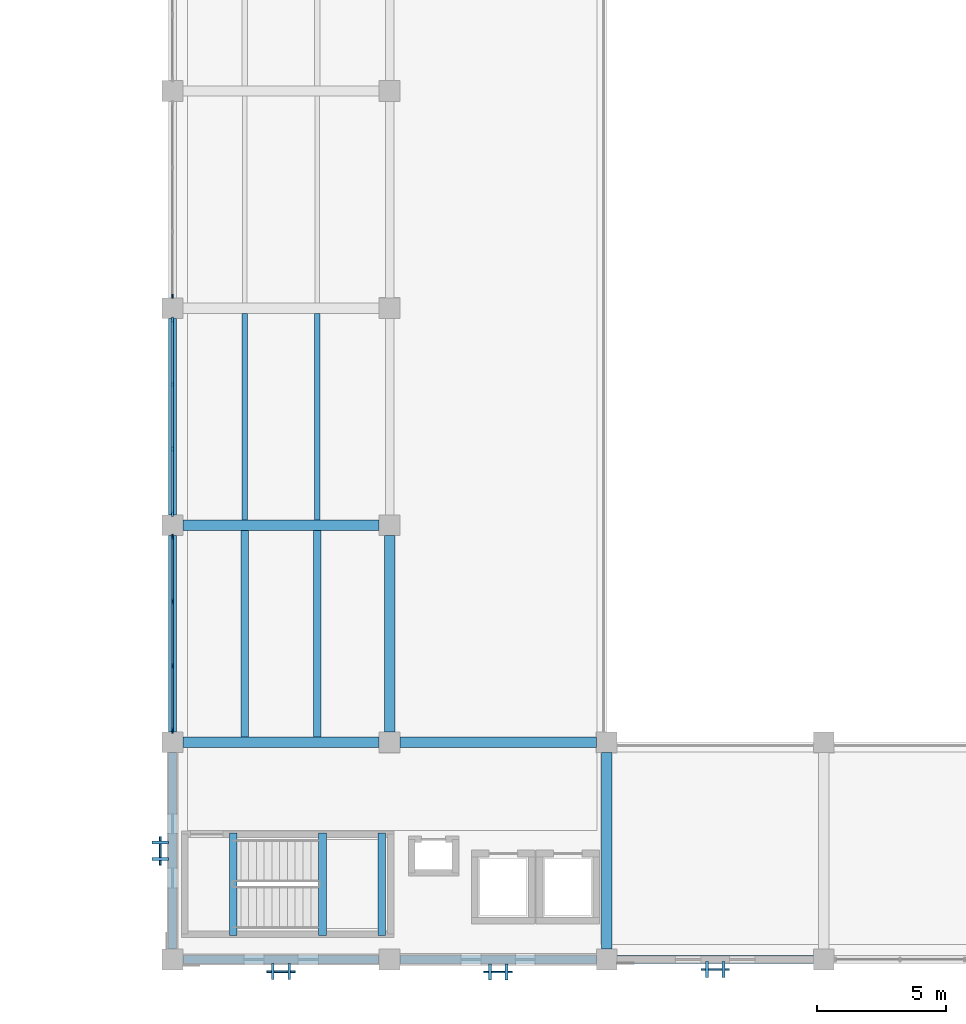
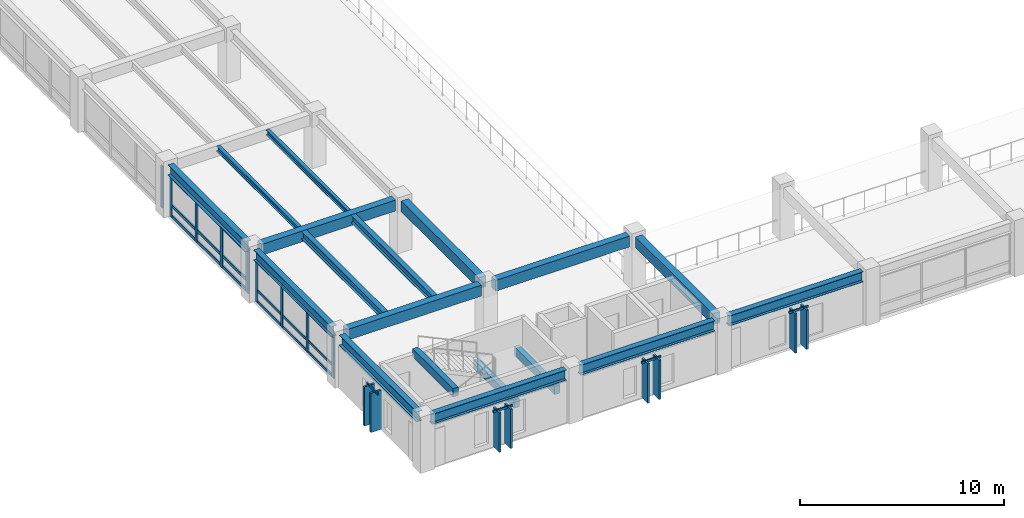
# One storey, part 6 of 111: 39 members, 18 beams, 7 elements without a shape of their own.
"""IFC4 building model written with IfcOpenShell, lengths in metres."""

from ifc_helpers import new_model, si_unit, direction, frame, origin, origin_2d, place, context, subcontext, project, spatial, rectangle, i_section, extrude, material, material_profile, profile_set, type_object, element, aggregate, save


model = new_model("IFC4")

# Units and contexts
model_context = context("Model", 3, precision=1e-05, world=origin(), true_north=direction((0.0, 1.0)))
body_context = subcontext(model_context, "Body", "Model", "MODEL_VIEW")
ifc_project = project(units=[si_unit("LENGTHUNIT", "METRE"), si_unit("AREAUNIT", "SQUARE_METRE"), si_unit("VOLUMEUNIT", "CUBIC_METRE"), si_unit("PLANEANGLEUNIT", "RADIAN"), si_unit("MASSUNIT", "GRAM", prefix="KILO")], contexts=[model_context])

# Site, building, storey
site_placement = place(None, origin())
site = spatial("IfcSite", under=ifc_project, at=site_placement, CompositionType="ELEMENT")
building_placement = place(site_placement, origin())
building = spatial("IfcBuilding", under=site, at=building_placement, Name="Cumbredor Promenade Congress Hotel", CompositionType="ELEMENT")
storey_placement = place(building_placement, frame((0.0, 0.0, 15.1201171875)))
storey = spatial("IfcBuildingStorey", under=building, at=storey_placement, Name="L04", CompositionType="ELEMENT", Elevation=15.1201171875)

# Beams
ifc_material_1 = material(Name="Concrete C40/50", Category="concrete")
ifc_material_profile_1 = material_profile(ifc_material_1, rectangle(XDim=0.39990234375, YDim=0.64990234375, at=origin_2d()), Name="RC BEAM 400x650")
ifc_profile_set_1 = profile_set([ifc_material_profile_1], Name="Concrete C40/50")
beam_type_1 = type_object("IfcBeamType", Name="BM-RC-400x650", PredefinedType="BEAM", material=ifc_profile_set_1)
for number, where, z_axis, x_axis, name in (
    (1, (8.800048828125, 16.800048828125, 2.794921875), (1.0, 0.0, 0.0), (0.0, 1.0, 0.0), "L05 X-Grid Beam 010"),
    (2, (8.800048828125, 25.199951171875, 2.794921875), (1.0, 0.0, 0.0), (0.0, 1.0, 0.0), "L05 X-Grid Beam 012"),
):
    element("IfcBeam", number, at=place(storey_placement, frame(where, z_axis=z_axis, x_axis=x_axis)), inside=storey, type_object=beam_type_1, Name=name, PredefinedType="BEAM", context=body_context, shape_type="SweptSolid", body=[
        extrude(rectangle(XDim=0.39990234375, YDim=0.64990234375, at=origin_2d()), origin(), (0.0, 0.0, 1.0), 7.599853515625),
    ])
for number, where, z_axis, x_axis, name in (
    (3, (17.199951171875, 16.800048828125, 2.794921875), (1.0, 0.0, 0.0), (0.0, 1.0, 0.0), "L05 X-Grid Beam 031"),
    (4, (16.800048828125, 17.199951171875, 2.794921875), (0.0, 1.0, 0.0), (-1.0, 0.0, 0.0), "L05 Y-Grid Beam 032"),
):
    element("IfcBeam", number, at=place(storey_placement, frame(where, z_axis=z_axis, x_axis=x_axis)), inside=storey, type_object=beam_type_1, Name=name, PredefinedType="BEAM", context=body_context, shape_type="SweptSolid", body=[
        extrude(rectangle(XDim=0.39990234375, YDim=0.64990234375, at=origin_2d()), origin(), (0.0, 0.0, 1.0), 7.60009765625),
    ])
beam_1_placement = place(storey_placement, frame((25.199951171875, 8.800048828125, 2.794921875), z_axis=(0.0, 1.0, 0.0), x_axis=(-1.0, 0.0, 0.0)))
element("IfcBeam", 5, at=beam_1_placement, inside=storey, type_object=beam_type_1, Name="L05 Y-Grid Beam 046", PredefinedType="BEAM", context=body_context, shape_type="SweptSolid", body=[
    extrude(rectangle(XDim=0.39990234375, YDim=0.64990234375, at=origin_2d()), origin(), (0.0, 0.0, 1.0), 7.599853515625),
])
ifc_material_2 = material(Name="Steel ASTM A992 Grade 50", Category="steel")
ifc_material_profile_2 = material_profile(ifc_material_2, i_section(OverallWidth=0.323974609375, OverallDepth=0.611083984375, WebThickness=0.0126953125, FlangeThickness=0.01904296875, at=origin_2d()), Name="W24X104")
ifc_profile_set_2 = profile_set([ifc_material_profile_2], Name="Steel ASTM A992 Grade 50")
beam_type_2 = type_object("IfcBeamType", Name="BM-W24X104", PredefinedType="BEAM", material=ifc_profile_set_2)
beam_2_placement = place(storey_placement, frame((8.800048828125, 8.39990234375, 2.814453125), z_axis=(1.0, 0.0, 0.0), x_axis=(0.0, 1.0, 0.0)))
element("IfcBeam", 6, at=beam_2_placement, inside=storey, type_object=beam_type_2, Name="L05 X-Grid Beam 008", PredefinedType="BEAM", context=body_context, shape_type="SweptSolid", body=[
    extrude(i_section(OverallWidth=0.323974609375, OverallDepth=0.611083984375, WebThickness=0.0126953125, FlangeThickness=0.01904296875, at=origin_2d()), origin(), (0.0, 0.0, 1.0), 7.599853515625),
])
beam_3_placement = place(storey_placement, frame((17.199951171875, 8.39990234375, 2.814453125), z_axis=(1.0, 0.0, 0.0), x_axis=(0.0, 1.0, 0.0)))
element("IfcBeam", 7, at=beam_3_placement, inside=storey, type_object=beam_type_2, Name="L05 X-Grid Beam 030", PredefinedType="BEAM", context=body_context, shape_type="SweptSolid", body=[
    extrude(i_section(OverallWidth=0.323974609375, OverallDepth=0.611083984375, WebThickness=0.0126953125, FlangeThickness=0.01904296875, at=origin_2d()), origin(), (0.0, 0.0, 1.0), 7.60009765625),
])
beam_4_placement = place(storey_placement, frame((25.60009765625, 8.39990234375, 2.814453125), z_axis=(1.0, 0.0, 0.0), x_axis=(0.0, 1.0, 0.0)))
element("IfcBeam", 8, at=beam_4_placement, inside=storey, type_object=beam_type_2, Name="L05 X-Grid Beam 045", PredefinedType="BEAM", context=body_context, shape_type="SweptSolid", body=[
    extrude(i_section(OverallWidth=0.323974609375, OverallDepth=0.611083984375, WebThickness=0.0126953125, FlangeThickness=0.01904296875, at=origin_2d()), origin(), (0.0, 0.0, 1.0), 7.599853515625),
])

# Curtain wall, member
ifc_material_3 = material(Name="Thermally broken anodized aluminium and low-E glass", Category="aluminium")
curtain_wall_type_1 = type_object("IfcCurtainWallType", Name="Unitised Bronze Curtain Wall CW-01", PredefinedType="NOTDEFINED", material=ifc_material_3)
curtain_wall_1_placement = place(storey_placement, origin())
curtain_wall_1 = element("IfcCurtainWall", 9, at=curtain_wall_1_placement, inside=storey, type_object=curtain_wall_type_1, Name="L04 Plenary Congress Hall West Curtain Wall 4", PredefinedType="NOTDEFINED")
ifc_material_4 = material(Name="Thermally broken anodized aluminium", Category="aluminium")
ifc_material_profile_3 = material_profile(ifc_material_4, rectangle(XDim=0.06494140625, YDim=0.159912109375, at=origin_2d()), Name="ALU MULLION 65x160")
ifc_profile_set_3 = profile_set([ifc_material_profile_3], Name="Thermally broken anodized aluminium")
member_type_1 = type_object("IfcMemberType", Name="Curtain Wall Mullion ML-01", PredefinedType="MULLION", material=ifc_profile_set_3)
member_1_placement = place(storey_placement, frame((8.39990234375, 34.054931640625, -0.008056640625), z_axis=(0.0, 0.0, 1.0), x_axis=(1.0, 0.0, 0.0)))
member_1 = element("IfcMember", 10, at=member_1_placement, type_object=member_type_1, Name="L04 Plenary Congress Hall West Curtain Wall 4 Mullion 1", PredefinedType="MULLION", context=body_context, shape_type="SweptSolid", body=[
    extrude(rectangle(XDim=0.06494140625, YDim=0.159912109375, at=origin_2d()), origin(), (0.0, 0.0, 1.0), 2.510009765625),
])
aggregate(curtain_wall_1, [member_1])

# Curtain wall, members
curtain_wall_2_placement = place(storey_placement, origin())
curtain_wall_2 = element("IfcCurtainWall", 11, at=curtain_wall_2_placement, inside=storey, type_object=curtain_wall_type_1, Name="L04 Plenary Congress Hall West Curtain Wall 2", PredefinedType="NOTDEFINED")
ifc_material_profile_4 = material_profile(ifc_material_4, rectangle(XDim=0.074951171875, YDim=0.199951171875, at=origin_2d()), Name="ALU MULLION 75x200")
ifc_profile_set_4 = profile_set([ifc_material_profile_4], Name="Thermally broken anodized aluminium")
member_type_2 = type_object("IfcMemberType", Name="Curtain Wall Mullion ML-02", PredefinedType="MULLION", material=ifc_profile_set_4)
member_2_placement = place(storey_placement, frame((8.39990234375, 17.2548828125, -0.008056640625), z_axis=(0.0, 0.0, 1.0), x_axis=(1.0, 0.0, 0.0)))
member_2 = element("IfcMember", 12, at=member_2_placement, type_object=member_type_2, Name="L04 Plenary Congress Hall West Curtain Wall 2 Mullion 1", PredefinedType="MULLION", context=body_context, shape_type="SweptSolid", body=[
    extrude(rectangle(XDim=0.074951171875, YDim=0.199951171875, at=origin_2d()), origin(), (0.0, 0.0, 1.0), 2.510009765625),
])
member_3_placement = place(storey_placement, frame((8.39990234375, 19.751708984375, -0.008056640625), z_axis=(0.0, 0.0, 1.0), x_axis=(1.0, 0.0, 0.0)))
member_3 = element("IfcMember", 13, at=member_3_placement, type_object=member_type_2, Name="L04 Plenary Congress Hall West Curtain Wall 2 Mullion 2", PredefinedType="MULLION", context=body_context, shape_type="SweptSolid", body=[
    extrude(rectangle(XDim=0.074951171875, YDim=0.199951171875, at=origin_2d()), origin(), (0.0, 0.0, 1.0), 2.510009765625),
])
member_4_placement = place(storey_placement, frame((8.39990234375, 22.248291015625, -0.008056640625), z_axis=(0.0, 0.0, 1.0), x_axis=(1.0, 0.0, 0.0)))
member_4 = element("IfcMember", 14, at=member_4_placement, type_object=member_type_2, Name="L04 Plenary Congress Hall West Curtain Wall 2 Mullion 3", PredefinedType="MULLION", context=body_context, shape_type="SweptSolid", body=[
    extrude(rectangle(XDim=0.074951171875, YDim=0.199951171875, at=origin_2d()), origin(), (0.0, 0.0, 1.0), 2.510009765625),
])
member_5_placement = place(storey_placement, frame((8.39990234375, 24.7451171875, -0.008056640625), z_axis=(0.0, 0.0, 1.0), x_axis=(1.0, 0.0, 0.0)))
member_5 = element("IfcMember", 15, at=member_5_placement, type_object=member_type_2, Name="L04 Plenary Congress Hall West Curtain Wall 2 Mullion 4", PredefinedType="MULLION", context=body_context, shape_type="SweptSolid", body=[
    extrude(rectangle(XDim=0.074951171875, YDim=0.199951171875, at=origin_2d()), origin(), (0.0, 0.0, 1.0), 2.510009765625),
])

curtain_wall_3_placement = place(storey_placement, origin())
curtain_wall_3 = element("IfcCurtainWall", 16, at=curtain_wall_3_placement, inside=storey, type_object=curtain_wall_type_1, Name="L04 Plenary Congress Hall West Curtain Wall 3", PredefinedType="NOTDEFINED")
ifc_material_profile_5 = material_profile(ifc_material_4, rectangle(XDim=0.080078125, YDim=0.239990234375, at=origin_2d()), Name="ALU MULLION 80x240")
ifc_profile_set_5 = profile_set([ifc_material_profile_5], Name="Thermally broken anodized aluminium")
member_type_3 = type_object("IfcMemberType", Name="Curtain Wall Mullion ML-03", PredefinedType="MULLION", material=ifc_profile_set_5)
member_6_placement = place(storey_placement, frame((8.39990234375, 25.655029296875, -0.008056640625), z_axis=(0.0, 0.0, 1.0), x_axis=(1.0, 0.0, 0.0)))
member_6 = element("IfcMember", 17, at=member_6_placement, type_object=member_type_3, Name="L04 Plenary Congress Hall West Curtain Wall 3 Mullion 1", PredefinedType="MULLION", context=body_context, shape_type="SweptSolid", body=[
    extrude(rectangle(XDim=0.080078125, YDim=0.239990234375, at=origin_2d()), origin(), (0.0, 0.0, 1.0), 2.510009765625),
])
member_7_placement = place(storey_placement, frame((8.39990234375, 28.151611328125, -0.008056640625), z_axis=(0.0, 0.0, 1.0), x_axis=(1.0, 0.0, 0.0)))
member_7 = element("IfcMember", 18, at=member_7_placement, type_object=member_type_3, Name="L04 Plenary Congress Hall West Curtain Wall 3 Mullion 2", PredefinedType="MULLION", context=body_context, shape_type="SweptSolid", body=[
    extrude(rectangle(XDim=0.080078125, YDim=0.239990234375, at=origin_2d()), origin(), (0.0, 0.0, 1.0), 2.510009765625),
])
member_8_placement = place(storey_placement, frame((8.39990234375, 30.648193359375, -0.008056640625), z_axis=(0.0, 0.0, 1.0), x_axis=(1.0, 0.0, 0.0)))
member_8 = element("IfcMember", 19, at=member_8_placement, type_object=member_type_3, Name="L04 Plenary Congress Hall West Curtain Wall 3 Mullion 3", PredefinedType="MULLION", context=body_context, shape_type="SweptSolid", body=[
    extrude(rectangle(XDim=0.080078125, YDim=0.239990234375, at=origin_2d()), origin(), (0.0, 0.0, 1.0), 2.510009765625),
])
member_9_placement = place(storey_placement, frame((8.39990234375, 33.14501953125, -0.008056640625), z_axis=(0.0, 0.0, 1.0), x_axis=(1.0, 0.0, 0.0)))
member_9 = element("IfcMember", 20, at=member_9_placement, type_object=member_type_3, Name="L04 Plenary Congress Hall West Curtain Wall 3 Mullion 4", PredefinedType="MULLION", context=body_context, shape_type="SweptSolid", body=[
    extrude(rectangle(XDim=0.080078125, YDim=0.239990234375, at=origin_2d()), origin(), (0.0, 0.0, 1.0), 2.510009765625),
])

# Curtain wall, member
curtain_wall_type_2 = type_object("IfcCurtainWallType", Name="Solar Brise-Soleil Screen Assembly CW-07", PredefinedType="NOTDEFINED", material=ifc_material_3)
curtain_wall_4_placement = place(storey_placement, origin())
curtain_wall_4 = element("IfcCurtainWall", 21, at=curtain_wall_4_placement, inside=storey, type_object=curtain_wall_type_2, Name="L04 Pier Brise-Soleil Screen 0694", PredefinedType="NOTDEFINED")
ifc_material_profile_6 = material_profile(ifc_material_4, rectangle(XDim=0.06494140625, YDim=0.1298828125, at=origin_2d()), Name="ALU TRANSOM 65x130")
ifc_profile_set_6 = profile_set([ifc_material_profile_6], Name="Thermally broken anodized aluminium")
member_type_4 = type_object("IfcMemberType", Name="Curtain Wall Transom TR-01", PredefinedType="USERDEFINED", material=ifc_profile_set_6)
member_10_placement = place(storey_placement, frame((12.050048828125, 7.927490234375, 2.333984375), z_axis=(1.0, 0.0, 0.0), x_axis=(0.0, 1.0, 0.0)))
member_10 = element("IfcMember", 22, at=member_10_placement, type_object=member_type_4, Name="L04 Pier Brise-Soleil Header 0696", ObjectType="TRANSOM", PredefinedType="USERDEFINED", context=body_context, shape_type="SweptSolid", body=[
    extrude(rectangle(XDim=0.06494140625, YDim=0.1298828125, at=origin_2d()), origin(), (0.0, 0.0, 1.0), 1.099853515625),
])

curtain_wall_5_placement = place(storey_placement, origin())
curtain_wall_5 = element("IfcCurtainWall", 23, at=curtain_wall_5_placement, inside=storey, type_object=curtain_wall_type_2, Name="L04 Pier Brise-Soleil Screen 0697", PredefinedType="NOTDEFINED")
member_11_placement = place(storey_placement, frame((20.449951171875, 7.9150390625, 2.333984375), z_axis=(1.0, 0.0, 0.0), x_axis=(0.0, 1.0, 0.0)))
member_11 = element("IfcMember", 24, at=member_11_placement, type_object=member_type_4, Name="L04 Pier Brise-Soleil Header 0699", ObjectType="TRANSOM", PredefinedType="USERDEFINED", context=body_context, shape_type="SweptSolid", body=[
    extrude(rectangle(XDim=0.06494140625, YDim=0.1298828125, at=origin_2d()), origin(), (0.0, 0.0, 1.0), 1.10009765625),
])

curtain_wall_6_placement = place(storey_placement, origin())
curtain_wall_6 = element("IfcCurtainWall", 25, at=curtain_wall_6_placement, inside=storey, type_object=curtain_wall_type_2, Name="L04 Pier Brise-Soleil Screen 0700", PredefinedType="NOTDEFINED")
member_12_placement = place(storey_placement, frame((28.85009765625, 8.010009765625, 2.333984375), z_axis=(1.0, 0.0, 0.0), x_axis=(0.0, 1.0, 0.0)))
member_12 = element("IfcMember", 26, at=member_12_placement, type_object=member_type_4, Name="L04 Pier Brise-Soleil Header 0702", ObjectType="TRANSOM", PredefinedType="USERDEFINED", context=body_context, shape_type="SweptSolid", body=[
    extrude(rectangle(XDim=0.06494140625, YDim=0.1298828125, at=origin_2d()), origin(), (0.0, 0.0, 1.0), 1.099853515625),
])

curtain_wall_7_placement = place(storey_placement, origin())
curtain_wall_7 = element("IfcCurtainWall", 27, at=curtain_wall_7_placement, inside=storey, type_object=curtain_wall_type_2, Name="L04 Pier Brise-Soleil Screen 0724", PredefinedType="NOTDEFINED")
member_13_placement = place(storey_placement, frame((7.927490234375, 12.050048828125, 2.333984375), z_axis=(0.0, 1.0, 0.0), x_axis=(-1.0, 0.0, 0.0)))
member_13 = element("IfcMember", 28, at=member_13_placement, type_object=member_type_4, Name="L04 Pier Brise-Soleil Header 0726", ObjectType="TRANSOM", PredefinedType="USERDEFINED", context=body_context, shape_type="SweptSolid", body=[
    extrude(rectangle(XDim=0.06494140625, YDim=0.1298828125, at=origin_2d()), origin(), (0.0, 0.0, 1.0), 1.099853515625),
])

# Member
ifc_material_profile_7 = material_profile(ifc_material_4, rectangle(XDim=0.074951171875, YDim=0.14990234375, at=origin_2d()), Name="ALU TRANSOM 75x150")
ifc_profile_set_7 = profile_set([ifc_material_profile_7], Name="Thermally broken anodized aluminium")
member_type_5 = type_object("IfcMemberType", Name="Curtain Wall Transom TR-02", PredefinedType="USERDEFINED", material=ifc_profile_set_7)
member_14_placement = place(storey_placement, frame((8.39990234375, 17.29248046875, 0.06982421875), z_axis=(0.0, 1.0, 0.0), x_axis=(-1.0, 0.0, 0.0)))
member_14 = element("IfcMember", 29, at=member_14_placement, type_object=member_type_5, Name="L04 Plenary Congress Hall West Curtain Wall 2 Transom 1.1", ObjectType="TRANSOM", PredefinedType="USERDEFINED", context=body_context, shape_type="SweptSolid", body=[
    extrude(rectangle(XDim=0.074951171875, YDim=0.14990234375, at=origin_2d()), origin(), (0.0, 0.0, 1.0), 2.421630859375),
])

member_15_placement = place(storey_placement, frame((8.39990234375, 17.29248046875, 0.719970703125), z_axis=(0.0, 1.0, 0.0), x_axis=(-1.0, 0.0, 0.0)))
member_15 = element("IfcMember", 30, at=member_15_placement, type_object=member_type_5, Name="L04 Plenary Congress Hall West Curtain Wall 2 Transom 1.2", ObjectType="TRANSOM", PredefinedType="USERDEFINED", context=body_context, shape_type="SweptSolid", body=[
    extrude(rectangle(XDim=0.074951171875, YDim=0.14990234375, at=origin_2d()), origin(), (0.0, 0.0, 1.0), 2.421630859375),
])

member_16_placement = place(storey_placement, frame((8.39990234375, 17.29248046875, 2.419921875), z_axis=(0.0, 1.0, 0.0), x_axis=(-1.0, 0.0, 0.0)))
member_16 = element("IfcMember", 31, at=member_16_placement, type_object=member_type_5, Name="L04 Plenary Congress Hall West Curtain Wall 2 Transom 1.3", ObjectType="TRANSOM", PredefinedType="USERDEFINED", context=body_context, shape_type="SweptSolid", body=[
    extrude(rectangle(XDim=0.074951171875, YDim=0.14990234375, at=origin_2d()), origin(), (0.0, 0.0, 1.0), 2.421630859375),
])

member_17_placement = place(storey_placement, frame((8.39990234375, 19.789306640625, 0.06982421875), z_axis=(0.0, 1.0, 0.0), x_axis=(-1.0, 0.0, 0.0)))
member_17 = element("IfcMember", 32, at=member_17_placement, type_object=member_type_5, Name="L04 Plenary Congress Hall West Curtain Wall 2 Transom 2.1", ObjectType="TRANSOM", PredefinedType="USERDEFINED", context=body_context, shape_type="SweptSolid", body=[
    extrude(rectangle(XDim=0.074951171875, YDim=0.14990234375, at=origin_2d()), origin(), (0.0, 0.0, 1.0), 2.42138671875),
])

member_18_placement = place(storey_placement, frame((8.39990234375, 19.789306640625, 0.719970703125), z_axis=(0.0, 1.0, 0.0), x_axis=(-1.0, 0.0, 0.0)))
member_18 = element("IfcMember", 33, at=member_18_placement, type_object=member_type_5, Name="L04 Plenary Congress Hall West Curtain Wall 2 Transom 2.2", ObjectType="TRANSOM", PredefinedType="USERDEFINED", context=body_context, shape_type="SweptSolid", body=[
    extrude(rectangle(XDim=0.074951171875, YDim=0.14990234375, at=origin_2d()), origin(), (0.0, 0.0, 1.0), 2.42138671875),
])

member_19_placement = place(storey_placement, frame((8.39990234375, 19.789306640625, 2.419921875), z_axis=(0.0, 1.0, 0.0), x_axis=(-1.0, 0.0, 0.0)))
member_19 = element("IfcMember", 34, at=member_19_placement, type_object=member_type_5, Name="L04 Plenary Congress Hall West Curtain Wall 2 Transom 2.3", ObjectType="TRANSOM", PredefinedType="USERDEFINED", context=body_context, shape_type="SweptSolid", body=[
    extrude(rectangle(XDim=0.074951171875, YDim=0.14990234375, at=origin_2d()), origin(), (0.0, 0.0, 1.0), 2.42138671875),
])

member_20_placement = place(storey_placement, frame((8.39990234375, 22.285888671875, 0.06982421875), z_axis=(0.0, 1.0, 0.0), x_axis=(-1.0, 0.0, 0.0)))
member_20 = element("IfcMember", 35, at=member_20_placement, type_object=member_type_5, Name="L04 Plenary Congress Hall West Curtain Wall 2 Transom 3.1", ObjectType="TRANSOM", PredefinedType="USERDEFINED", context=body_context, shape_type="SweptSolid", body=[
    extrude(rectangle(XDim=0.074951171875, YDim=0.14990234375, at=origin_2d()), origin(), (0.0, 0.0, 1.0), 2.421630859375),
])

member_21_placement = place(storey_placement, frame((8.39990234375, 22.285888671875, 0.719970703125), z_axis=(0.0, 1.0, 0.0), x_axis=(-1.0, 0.0, 0.0)))
member_21 = element("IfcMember", 36, at=member_21_placement, type_object=member_type_5, Name="L04 Plenary Congress Hall West Curtain Wall 2 Transom 3.2", ObjectType="TRANSOM", PredefinedType="USERDEFINED", context=body_context, shape_type="SweptSolid", body=[
    extrude(rectangle(XDim=0.074951171875, YDim=0.14990234375, at=origin_2d()), origin(), (0.0, 0.0, 1.0), 2.421630859375),
])

member_22_placement = place(storey_placement, frame((8.39990234375, 22.285888671875, 2.419921875), z_axis=(0.0, 1.0, 0.0), x_axis=(-1.0, 0.0, 0.0)))
member_22 = element("IfcMember", 37, at=member_22_placement, type_object=member_type_5, Name="L04 Plenary Congress Hall West Curtain Wall 2 Transom 3.3", ObjectType="TRANSOM", PredefinedType="USERDEFINED", context=body_context, shape_type="SweptSolid", body=[
    extrude(rectangle(XDim=0.074951171875, YDim=0.14990234375, at=origin_2d()), origin(), (0.0, 0.0, 1.0), 2.421630859375),
])

aggregate(curtain_wall_2, [member_2, member_3, member_4, member_5, member_14, member_15, member_16, member_17, member_18, member_19, member_20, member_21, member_22])

ifc_material_profile_8 = material_profile(ifc_material_4, rectangle(XDim=0.080078125, YDim=0.179931640625, at=origin_2d()), Name="ALU TRANSOM 80x180")
ifc_profile_set_8 = profile_set([ifc_material_profile_8], Name="Thermally broken anodized aluminium")
member_type_6 = type_object("IfcMemberType", Name="Curtain Wall Transom TR-03", PredefinedType="USERDEFINED", material=ifc_profile_set_8)
member_23_placement = place(storey_placement, frame((8.39990234375, 25.695068359375, 0.08984375), z_axis=(0.0, 1.0, 0.0), x_axis=(-1.0, 0.0, 0.0)))
member_23 = element("IfcMember", 38, at=member_23_placement, type_object=member_type_6, Name="L04 Plenary Congress Hall West Curtain Wall 3 Transom 1.1", ObjectType="TRANSOM", PredefinedType="USERDEFINED", context=body_context, shape_type="SweptSolid", body=[
    extrude(rectangle(XDim=0.080078125, YDim=0.179931640625, at=origin_2d()), origin(), (0.0, 0.0, 1.0), 2.416748046875),
])

member_24_placement = place(storey_placement, frame((8.39990234375, 25.695068359375, 0.719970703125), z_axis=(0.0, 1.0, 0.0), x_axis=(-1.0, 0.0, 0.0)))
member_24 = element("IfcMember", 39, at=member_24_placement, type_object=member_type_6, Name="L04 Plenary Congress Hall West Curtain Wall 3 Transom 1.2", ObjectType="TRANSOM", PredefinedType="USERDEFINED", context=body_context, shape_type="SweptSolid", body=[
    extrude(rectangle(XDim=0.080078125, YDim=0.179931640625, at=origin_2d()), origin(), (0.0, 0.0, 1.0), 2.416748046875),
])

member_25_placement = place(storey_placement, frame((8.39990234375, 25.695068359375, 2.39990234375), z_axis=(0.0, 1.0, 0.0), x_axis=(-1.0, 0.0, 0.0)))
member_25 = element("IfcMember", 40, at=member_25_placement, type_object=member_type_6, Name="L04 Plenary Congress Hall West Curtain Wall 3 Transom 1.3", ObjectType="TRANSOM", PredefinedType="USERDEFINED", context=body_context, shape_type="SweptSolid", body=[
    extrude(rectangle(XDim=0.080078125, YDim=0.179931640625, at=origin_2d()), origin(), (0.0, 0.0, 1.0), 2.416748046875),
])

member_26_placement = place(storey_placement, frame((8.39990234375, 28.191650390625, 0.08984375), z_axis=(0.0, 1.0, 0.0), x_axis=(-1.0, 0.0, 0.0)))
member_26 = element("IfcMember", 41, at=member_26_placement, type_object=member_type_6, Name="L04 Plenary Congress Hall West Curtain Wall 3 Transom 2.1", ObjectType="TRANSOM", PredefinedType="USERDEFINED", context=body_context, shape_type="SweptSolid", body=[
    extrude(rectangle(XDim=0.080078125, YDim=0.179931640625, at=origin_2d()), origin(), (0.0, 0.0, 1.0), 2.416748046875),
])

member_27_placement = place(storey_placement, frame((8.39990234375, 28.191650390625, 0.719970703125), z_axis=(0.0, 1.0, 0.0), x_axis=(-1.0, 0.0, 0.0)))
member_27 = element("IfcMember", 42, at=member_27_placement, type_object=member_type_6, Name="L04 Plenary Congress Hall West Curtain Wall 3 Transom 2.2", ObjectType="TRANSOM", PredefinedType="USERDEFINED", context=body_context, shape_type="SweptSolid", body=[
    extrude(rectangle(XDim=0.080078125, YDim=0.179931640625, at=origin_2d()), origin(), (0.0, 0.0, 1.0), 2.416748046875),
])

member_28_placement = place(storey_placement, frame((8.39990234375, 28.191650390625, 2.39990234375), z_axis=(0.0, 1.0, 0.0), x_axis=(-1.0, 0.0, 0.0)))
member_28 = element("IfcMember", 43, at=member_28_placement, type_object=member_type_6, Name="L04 Plenary Congress Hall West Curtain Wall 3 Transom 2.3", ObjectType="TRANSOM", PredefinedType="USERDEFINED", context=body_context, shape_type="SweptSolid", body=[
    extrude(rectangle(XDim=0.080078125, YDim=0.179931640625, at=origin_2d()), origin(), (0.0, 0.0, 1.0), 2.416748046875),
])

member_29_placement = place(storey_placement, frame((8.39990234375, 30.688232421875, 0.08984375), z_axis=(0.0, 1.0, 0.0), x_axis=(-1.0, 0.0, 0.0)))
member_29 = element("IfcMember", 44, at=member_29_placement, type_object=member_type_6, Name="L04 Plenary Congress Hall West Curtain Wall 3 Transom 3.1", ObjectType="TRANSOM", PredefinedType="USERDEFINED", context=body_context, shape_type="SweptSolid", body=[
    extrude(rectangle(XDim=0.080078125, YDim=0.179931640625, at=origin_2d()), origin(), (0.0, 0.0, 1.0), 2.416748046875),
])

member_30_placement = place(storey_placement, frame((8.39990234375, 30.688232421875, 0.719970703125), z_axis=(0.0, 1.0, 0.0), x_axis=(-1.0, 0.0, 0.0)))
member_30 = element("IfcMember", 45, at=member_30_placement, type_object=member_type_6, Name="L04 Plenary Congress Hall West Curtain Wall 3 Transom 3.2", ObjectType="TRANSOM", PredefinedType="USERDEFINED", context=body_context, shape_type="SweptSolid", body=[
    extrude(rectangle(XDim=0.080078125, YDim=0.179931640625, at=origin_2d()), origin(), (0.0, 0.0, 1.0), 2.416748046875),
])

member_31_placement = place(storey_placement, frame((8.39990234375, 30.688232421875, 2.39990234375), z_axis=(0.0, 1.0, 0.0), x_axis=(-1.0, 0.0, 0.0)))
member_31 = element("IfcMember", 46, at=member_31_placement, type_object=member_type_6, Name="L04 Plenary Congress Hall West Curtain Wall 3 Transom 3.3", ObjectType="TRANSOM", PredefinedType="USERDEFINED", context=body_context, shape_type="SweptSolid", body=[
    extrude(rectangle(XDim=0.080078125, YDim=0.179931640625, at=origin_2d()), origin(), (0.0, 0.0, 1.0), 2.416748046875),
])

aggregate(curtain_wall_3, [member_6, member_7, member_8, member_9, member_23, member_24, member_25, member_26, member_27, member_28, member_29, member_30, member_31])

# Beams
ifc_material_profile_9 = material_profile(ifc_material_2, i_section(OverallWidth=0.202880859375, OverallDepth=0.302978515625, WebThickness=0.007568359375, FlangeThickness=0.01318359375, at=origin_2d()), Name="W12X40")
ifc_profile_set_9 = profile_set([ifc_material_profile_9], Name="Steel ASTM A992 Grade 50")
beam_type_3 = type_object("IfcBeamType", Name="JST-W12X40", PredefinedType="JOIST", material=ifc_profile_set_9)
for number, where, z_axis, x_axis, name in (
    (47, (11.199951171875, 25.39990234375, 2.96826171875), (0.0, 1.0, 0.0), (-1.0, 0.0, 0.0), "L05 Secondary Floor Joist 0009"),
    (48, (14.0, 25.39990234375, 2.96826171875), (0.0, 1.0, 0.0), (-1.0, 0.0, 0.0), "L05 Secondary Floor Joist 0010"),
):
    element("IfcBeam", number, at=place(storey_placement, frame(where, z_axis=z_axis, x_axis=x_axis)), inside=storey, type_object=beam_type_3, Name=name, PredefinedType="JOIST", context=body_context, shape_type="SweptSolid", body=[
        extrude(i_section(OverallWidth=0.202880859375, OverallDepth=0.302978515625, WebThickness=0.007568359375, FlangeThickness=0.01318359375, at=origin_2d()), origin(), (0.0, 0.0, 1.0), 8.0),
    ])
ifc_material_profile_10 = material_profile(ifc_material_2, i_section(OverallWidth=0.280029296875, OverallDepth=0.462890625, WebThickness=0.0107421875, FlangeThickness=0.017333984375, at=origin_2d()), Name="W18X76")
ifc_profile_set_10 = profile_set([ifc_material_profile_10], Name="Steel ASTM A992 Grade 50")
beam_type_4 = type_object("IfcBeamType", Name="JST-W18X76", PredefinedType="JOIST", material=ifc_profile_set_10)
for number, where, z_axis, x_axis, name in (
    (49, (11.199951171875, 17.0, 2.888427734375), (0.0, 1.0, 0.0), (-1.0, 0.0, 0.0), "L05 Secondary Floor Joist 0007"),
    (50, (14.0, 17.0, 2.888427734375), (0.0, 1.0, 0.0), (-1.0, 0.0, 0.0), "L05 Secondary Floor Joist 0008"),
):
    element("IfcBeam", number, at=place(storey_placement, frame(where, z_axis=z_axis, x_axis=x_axis)), inside=storey, type_object=beam_type_4, Name=name, PredefinedType="JOIST", context=body_context, shape_type="SweptSolid", body=[
        extrude(i_section(OverallWidth=0.280029296875, OverallDepth=0.462890625, WebThickness=0.0107421875, FlangeThickness=0.017333984375, at=origin_2d()), origin(), (0.0, 0.0, 1.0), 8.0),
    ])
ifc_material_profile_11 = material_profile(ifc_material_1, rectangle(XDim=0.300048828125, YDim=0.5, at=origin_2d()), Name="RC LINTEL 300x500")
ifc_profile_set_11 = profile_set([ifc_material_profile_11], Name="Concrete C40/50")
beam_type_5 = type_object("IfcBeamType", Name="LN-RC-300x500", PredefinedType="LINTEL", material=ifc_profile_set_11)
for number, where, z_axis, x_axis, name in (
    (51, (16.5, 9.330078125, 1.22998046875), (0.0, 1.0, 0.0), (-1.0, 0.0, 0.0), "L04 Stair ST-04 Landing Ledger Beam E"),
    (52, (14.199951171875, 9.330078125, 1.22998046875), (0.0, 1.0, 0.0), (-1.0, 0.0, 0.0), "L04 Stair ST-04 Landing Ledger Beam W"),
    (53, (10.75, 9.330078125, 3.10986328125), (0.0, 1.0, 0.0), (-1.0, 0.0, 0.0), "L05 Stair ST-04 Well Header Trimmer Beam"),
):
    element("IfcBeam", number, at=place(storey_placement, frame(where, z_axis=z_axis, x_axis=x_axis)), inside=storey, type_object=beam_type_5, Name=name, PredefinedType="LINTEL", context=body_context, shape_type="SweptSolid", body=[
        extrude(rectangle(XDim=0.300048828125, YDim=0.5, at=origin_2d()), origin(), (0.0, 0.0, 1.0), 3.969970703125),
    ])
ifc_material_profile_12 = material_profile(ifc_material_2, i_section(OverallWidth=0.323974609375, OverallDepth=0.611083984375, WebThickness=0.0126953125, FlangeThickness=0.01904296875, at=origin_2d()), Name="W24X104")
ifc_profile_set_12 = profile_set([ifc_material_profile_12], Name="Steel ASTM A992 Grade 50")
beam_type_6 = type_object("IfcBeamType", Name="SP-W24X104", PredefinedType="SPANDREL", material=ifc_profile_set_12)
beam_5_placement = place(storey_placement, frame((8.39990234375, 8.800048828125, 2.814453125), z_axis=(0.0, 1.0, 0.0), x_axis=(-1.0, 0.0, 0.0)))
element("IfcBeam", 54, at=beam_5_placement, inside=storey, type_object=beam_type_6, Name="L05 Y-Grid Beam 009", PredefinedType="SPANDREL", context=body_context, shape_type="SweptSolid", body=[
    extrude(i_section(OverallWidth=0.323974609375, OverallDepth=0.611083984375, WebThickness=0.0126953125, FlangeThickness=0.01904296875, at=origin_2d()), origin(), (0.0, 0.0, 1.0), 7.599853515625),
])
beam_6_placement = place(storey_placement, frame((8.39990234375, 17.199951171875, 2.814453125), z_axis=(0.0, 1.0, 0.0), x_axis=(-1.0, 0.0, 0.0)))
element("IfcBeam", 55, at=beam_6_placement, inside=storey, type_object=beam_type_6, Name="L05 Y-Grid Beam 011", PredefinedType="SPANDREL", context=body_context, shape_type="SweptSolid", body=[
    extrude(i_section(OverallWidth=0.323974609375, OverallDepth=0.611083984375, WebThickness=0.0126953125, FlangeThickness=0.01904296875, at=origin_2d()), origin(), (0.0, 0.0, 1.0), 7.60009765625),
])
beam_7_placement = place(storey_placement, frame((8.39990234375, 25.60009765625, 2.814453125), z_axis=(0.0, 1.0, 0.0), x_axis=(-1.0, 0.0, 0.0)))
element("IfcBeam", 56, at=beam_7_placement, inside=storey, type_object=beam_type_6, Name="L05 Y-Grid Beam 013", PredefinedType="SPANDREL", context=body_context, shape_type="SweptSolid", body=[
    extrude(i_section(OverallWidth=0.323974609375, OverallDepth=0.611083984375, WebThickness=0.0126953125, FlangeThickness=0.01904296875, at=origin_2d()), origin(), (0.0, 0.0, 1.0), 7.599853515625),
])

# Member
ifc_material_profile_13 = material_profile(ifc_material_4, rectangle(XDim=0.110107421875, YDim=0.6201171875, at=origin_2d()), Name="ARCH FIN 110x620")
ifc_profile_set_13 = profile_set([ifc_material_profile_13], Name="Thermally broken anodized aluminium")
member_type_7 = type_object("IfcMemberType", Name="Vertical Bronze Brise-Soleil Fin BSF-02 110x620", PredefinedType="USERDEFINED", material=ifc_profile_set_13)
member_32_placement = place(storey_placement, frame((12.280029296875, 7.927490234375, 0.019775390625), z_axis=(0.0, 0.0, 1.0), x_axis=(1.0, 0.0, 0.0)))
member_32 = element("IfcMember", 57, at=member_32_placement, type_object=member_type_7, Name="L04 Pier Brise-Soleil Fin 0695", ObjectType="SOLAR FIN", PredefinedType="USERDEFINED", context=body_context, shape_type="SweptSolid", body=[
    extrude(rectangle(XDim=0.110107421875, YDim=0.6201171875, at=origin_2d()), origin(), (0.0, 0.0, 1.0), 2.35400390625),
])

member_33_placement = place(storey_placement, frame((12.919921875, 7.927490234375, 0.019775390625), z_axis=(0.0, 0.0, 1.0), x_axis=(1.0, 0.0, 0.0)))
member_33 = element("IfcMember", 58, at=member_33_placement, type_object=member_type_7, Name="L04 Pier Brise-Soleil Fin 0696", ObjectType="SOLAR FIN", PredefinedType="USERDEFINED", context=body_context, shape_type="SweptSolid", body=[
    extrude(rectangle(XDim=0.110107421875, YDim=0.6201171875, at=origin_2d()), origin(), (0.0, 0.0, 1.0), 2.35400390625),
])

aggregate(curtain_wall_4, [member_32, member_33, member_10])

member_34_placement = place(storey_placement, frame((20.679931640625, 7.9150390625, 0.019775390625), z_axis=(0.0, 0.0, 1.0), x_axis=(1.0, 0.0, 0.0)))
member_34 = element("IfcMember", 59, at=member_34_placement, type_object=member_type_7, Name="L04 Pier Brise-Soleil Fin 0698", ObjectType="SOLAR FIN", PredefinedType="USERDEFINED", context=body_context, shape_type="SweptSolid", body=[
    extrude(rectangle(XDim=0.110107421875, YDim=0.6201171875, at=origin_2d()), origin(), (0.0, 0.0, 1.0), 2.35400390625),
])

member_35_placement = place(storey_placement, frame((21.320068359375, 7.9150390625, 0.019775390625), z_axis=(0.0, 0.0, 1.0), x_axis=(1.0, 0.0, 0.0)))
member_35 = element("IfcMember", 60, at=member_35_placement, type_object=member_type_7, Name="L04 Pier Brise-Soleil Fin 0699", ObjectType="SOLAR FIN", PredefinedType="USERDEFINED", context=body_context, shape_type="SweptSolid", body=[
    extrude(rectangle(XDim=0.110107421875, YDim=0.6201171875, at=origin_2d()), origin(), (0.0, 0.0, 1.0), 2.35400390625),
])

aggregate(curtain_wall_5, [member_34, member_35, member_11])

member_36_placement = place(storey_placement, frame((29.080078125, 8.010009765625, 0.019775390625), z_axis=(0.0, 0.0, 1.0), x_axis=(1.0, 0.0, 0.0)))
member_36 = element("IfcMember", 61, at=member_36_placement, type_object=member_type_7, Name="L04 Pier Brise-Soleil Fin 0701", ObjectType="SOLAR FIN", PredefinedType="USERDEFINED", context=body_context, shape_type="SweptSolid", body=[
    extrude(rectangle(XDim=0.110107421875, YDim=0.6201171875, at=origin_2d()), origin(), (0.0, 0.0, 1.0), 2.35400390625),
])

member_37_placement = place(storey_placement, frame((29.719970703125, 8.010009765625, 0.019775390625), z_axis=(0.0, 0.0, 1.0), x_axis=(1.0, 0.0, 0.0)))
member_37 = element("IfcMember", 62, at=member_37_placement, type_object=member_type_7, Name="L04 Pier Brise-Soleil Fin 0702", ObjectType="SOLAR FIN", PredefinedType="USERDEFINED", context=body_context, shape_type="SweptSolid", body=[
    extrude(rectangle(XDim=0.110107421875, YDim=0.6201171875, at=origin_2d()), origin(), (0.0, 0.0, 1.0), 2.35400390625),
])

aggregate(curtain_wall_6, [member_36, member_37, member_12])

member_38_placement = place(storey_placement, frame((7.927490234375, 12.280029296875, 0.019775390625), z_axis=(0.0, 0.0, 1.0), x_axis=(0.0, 1.0, 0.0)))
member_38 = element("IfcMember", 63, at=member_38_placement, type_object=member_type_7, Name="L04 Pier Brise-Soleil Fin 0725", ObjectType="SOLAR FIN", PredefinedType="USERDEFINED", context=body_context, shape_type="SweptSolid", body=[
    extrude(rectangle(XDim=0.110107421875, YDim=0.6201171875, at=origin_2d()), origin(), (0.0, 0.0, 1.0), 2.35400390625),
])

member_39_placement = place(storey_placement, frame((7.927490234375, 12.919921875, 0.019775390625), z_axis=(0.0, 0.0, 1.0), x_axis=(0.0, 1.0, 0.0)))
member_39 = element("IfcMember", 64, at=member_39_placement, type_object=member_type_7, Name="L04 Pier Brise-Soleil Fin 0726", ObjectType="SOLAR FIN", PredefinedType="USERDEFINED", context=body_context, shape_type="SweptSolid", body=[
    extrude(rectangle(XDim=0.110107421875, YDim=0.6201171875, at=origin_2d()), origin(), (0.0, 0.0, 1.0), 2.35400390625),
])

aggregate(curtain_wall_7, [member_38, member_39, member_13])

save(model, "model.ifc")
